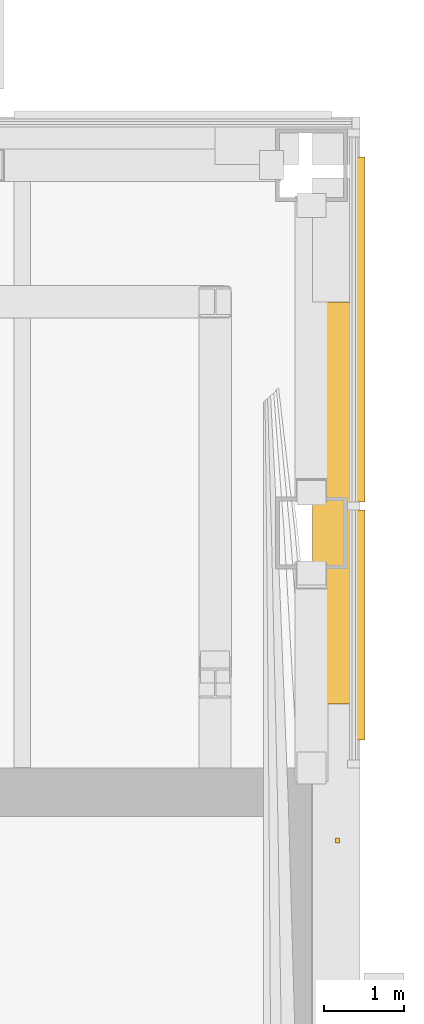
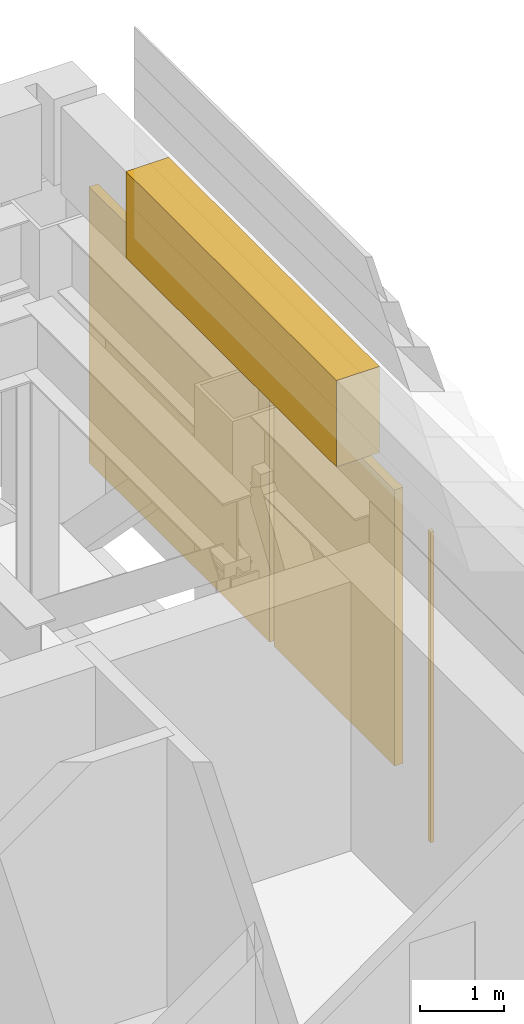
# One storey, part 37 of 38: 4 coverings.
"""IFC4 building model written with IfcOpenShell, lengths in metres."""

from ifc_helpers import new_model, si_unit, direction, frame, origin, origin_2d, place, context, subcontext, project, spatial, polyline, rectangle, outline, extrude, material, type_object, element, save


model = new_model("IFC4")

# Units and contexts
model_context = context("Model", 3, precision=1e-05, world=origin(), true_north=direction((0.0, 1.0)))
body_context = subcontext(model_context, "Body", "Model", "MODEL_VIEW")
ifc_project = project(units=[si_unit("LENGTHUNIT", "METRE"), si_unit("AREAUNIT", "SQUARE_METRE"), si_unit("VOLUMEUNIT", "CUBIC_METRE"), si_unit("PLANEANGLEUNIT", "RADIAN"), si_unit("MASSUNIT", "GRAM", prefix="KILO")], contexts=[model_context])

# Site, building, storey
site_placement = place(None, origin())
site = spatial("IfcSite", under=ifc_project, at=site_placement, CompositionType="ELEMENT")
building_placement = place(site_placement, origin())
building = spatial("IfcBuilding", under=site, at=building_placement, Name="Cobrizo Arcos Hotel Tower", CompositionType="ELEMENT")
storey_placement = place(building_placement, frame((0.0, 0.0, 138.0)))
storey = spatial("IfcBuildingStorey", under=building, at=storey_placement, Name="L35", CompositionType="ELEMENT", Elevation=138.0)

# Coverings
ifc_material_1 = material(Name="Aluminium 6063-T6 anodised pale", Category="aluminium")
covering_type_1 = type_object("IfcCoveringType", Name="LF-1 setback skirt", PredefinedType="CLADDING", material=ifc_material_1)
covering_1_placement = place(storey_placement, frame((0.0, 0.0, 4.5)))
element("IfcCovering", 1, at=covering_1_placement, inside=storey, type_object=covering_type_1, Name="Setback skirt L35", PredefinedType="CLADDING", context=body_context, shape_type="SweptSolid", body=[
    extrude(outline(polyline([(22.81005859375, 16.60009765625), (22.81005859375, 11.60009765625), (23.39990234375, 11.60009765625), (23.39990234375, 16.60009765625), (22.81005859375, 16.60009765625)])), origin(), (0.0, 0.0, 1.0), 1.25),
])
ifc_material_2 = material(Name="Aluminium 6063-T6 anodised bronze", Category="aluminium")
covering_type_2 = type_object("IfcCoveringType", Name="LV-1 plant louvre band", PredefinedType="CLADDING", material=ifc_material_2)
covering_2_placement = place(storey_placement, frame((23.405029296875, 12.581298828125, 0.25), z_axis=(0.0, 0.0, 1.0), x_axis=(0.0, 1.0, 0.0)))
element("IfcCovering", 2, at=covering_2_placement, inside=storey, type_object=covering_type_2, Name="louvre band 1287", PredefinedType="CLADDING", context=body_context, shape_type="SweptSolid", body=[
    extrude(rectangle(XDim=2.862548828125, YDim=0.1201171875, at=origin_2d()), origin(), (0.0, 0.0, 1.0), 4.0),
])
covering_3_placement = place(storey_placement, frame((23.405029296875, 16.25634765625, 0.25), z_axis=(0.0, 0.0, 1.0), x_axis=(0.0, 1.0, 0.0)))
element("IfcCovering", 3, at=covering_3_placement, inside=storey, type_object=covering_type_2, Name="louvre band 1288", PredefinedType="CLADDING", context=body_context, shape_type="SweptSolid", body=[
    extrude(rectangle(XDim=4.28759765625, YDim=0.1201171875, at=origin_2d()), origin(), (0.0, 0.0, 1.0), 4.0),
])
covering_type_3 = type_object("IfcCoveringType", Name="RS-2 rainscreen rib 60x50", PredefinedType="CLADDING", material=ifc_material_1)
covering_4_placement = place(storey_placement, frame((23.125, 9.89990234375, 0.0), z_axis=(0.0, 0.0, 1.0), x_axis=(0.0, 1.0, 0.0)))
element("IfcCovering", 4, at=covering_4_placement, inside=storey, type_object=covering_type_3, Name="Rainscreen rib 50", PredefinedType="CLADDING", context=body_context, shape_type="SweptSolid", body=[
    extrude(rectangle(XDim=0.06005859375, YDim=0.050048828125, at=origin_2d()), origin(), (0.0, 0.0, 1.0), 4.5),
])

save(model, "model.ifc")
